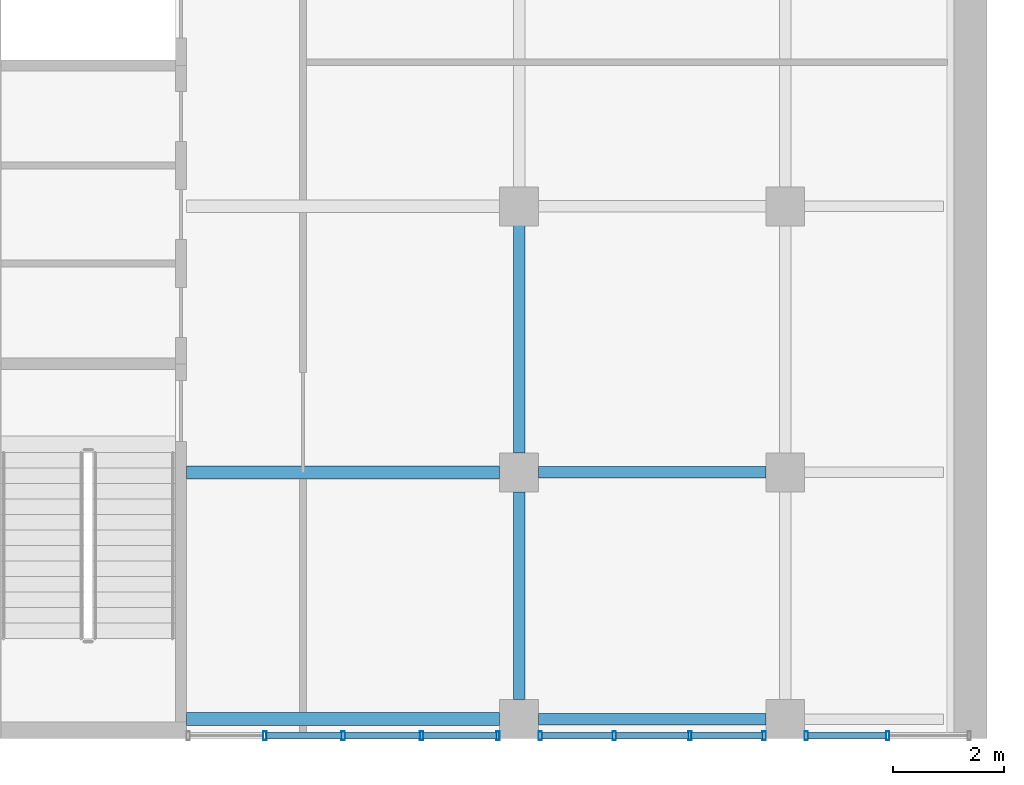
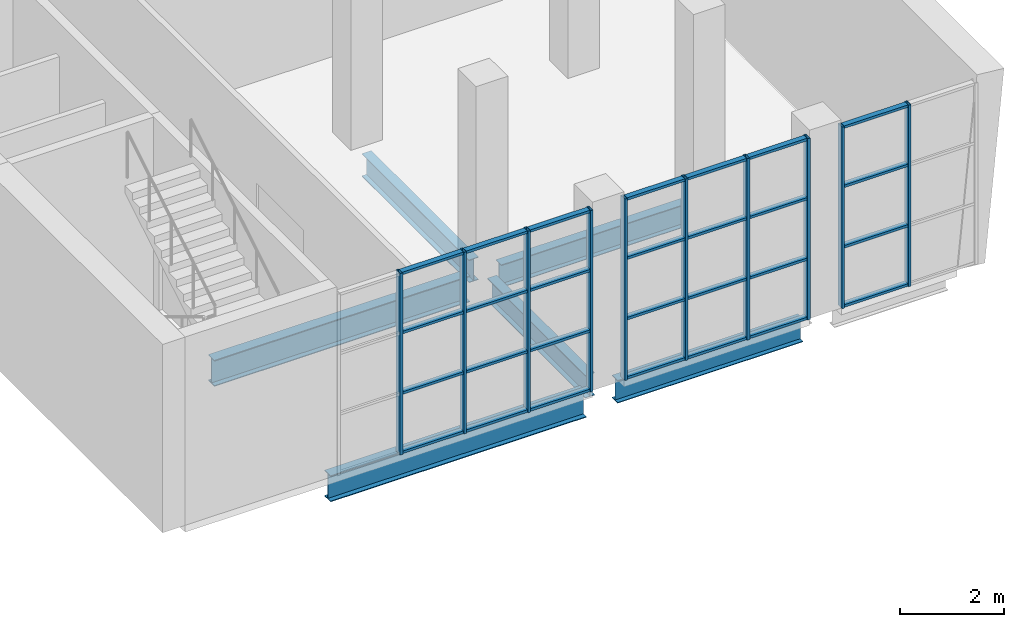
# One storey, part 10 of 30: 38 members, 6 beams, 3 elements without a shape of their own.
"""IFC4 building model written with IfcOpenShell, lengths in metres."""

from ifc_helpers import new_model, si_unit, direction, frame, origin, origin_2d, place, context, subcontext, project, spatial, hollow_rectangle, i_section, extrude, material, layer, layer_set, material_profile, profile_set, type_object, element, aggregate, save


model = new_model("IFC4")

# Units and contexts
model_context = context("Model", 3, precision=1e-05, world=origin(), true_north=direction((0.0, 1.0)))
body_context = subcontext(model_context, "Body", "Model", "MODEL_VIEW")
ifc_project = project(units=[si_unit("LENGTHUNIT", "METRE"), si_unit("AREAUNIT", "SQUARE_METRE"), si_unit("VOLUMEUNIT", "CUBIC_METRE"), si_unit("PLANEANGLEUNIT", "RADIAN"), si_unit("MASSUNIT", "GRAM", prefix="KILO")], contexts=[model_context])

# Site, building, storey
site_placement = place(None, origin())
site = spatial("IfcSite", under=ifc_project, at=site_placement, CompositionType="ELEMENT")
building_placement = place(site_placement, origin())
building = spatial("IfcBuilding", under=site, at=building_placement, Name="Baori Bourse Tower", CompositionType="ELEMENT")
storey_placement = place(building_placement, frame((0.0, 0.0, 17.0)))
storey = spatial("IfcBuildingStorey", under=building, at=storey_placement, Name="L02", CompositionType="ELEMENT", Elevation=17.0)

# Beams
ifc_material_1 = material(Name="Steel A992 Gr 50", Category="steel")
ifc_material_profile_1 = material_profile(ifc_material_1, i_section(OverallWidth=0.209228515625, OverallDepth=0.533447265625, WebThickness=0.01025390625, FlangeThickness=0.015625, at=origin_2d()), Name="W21x62")
ifc_profile_set_1 = profile_set([ifc_material_profile_1], Name="Steel A992 Gr 50")
beam_type_1 = type_object("IfcBeamType", Name="Wing beam W21x62", PredefinedType="BEAM", material=ifc_profile_set_1)
for number, where, z_axis, x_axis, name in (
    (1, (71.64990234375, -24.85009765625, -0.4267578125), (-1.0, 0.0, 0.0), (0.0, -1.0, 0.0), "wing/L02/Ebeam/002"),
    (2, (71.64990234375, -20.39990234375, -0.4267578125), (-1.0, 0.0, 0.0), (0.0, -1.0, 0.0), "wing/L02/Ebeam/005"),
):
    element("IfcBeam", number, at=place(storey_placement, frame(where, z_axis=z_axis, x_axis=x_axis)), inside=storey, type_object=beam_type_1, Name=name, PredefinedType="BEAM", context=body_context, shape_type="SweptSolid", body=[
        extrude(i_section(OverallWidth=0.209228515625, OverallDepth=0.533447265625, WebThickness=0.01025390625, FlangeThickness=0.015625, at=origin_2d()), origin(), (0.0, 0.0, 1.0), 4.099853515625),
    ])
beam_1_placement = place(storey_placement, frame((67.199951171875, -24.5, -0.4267578125), z_axis=(0.0, 1.0, 0.0), x_axis=(-1.0, 0.0, 0.0)))
element("IfcBeam", 3, at=beam_1_placement, inside=storey, type_object=beam_type_1, Name="wing/L02/Ebeamy/006", PredefinedType="BEAM", context=body_context, shape_type="SweptSolid", body=[
    extrude(i_section(OverallWidth=0.209228515625, OverallDepth=0.533447265625, WebThickness=0.01025390625, FlangeThickness=0.015625, at=origin_2d()), origin(), (0.0, 0.0, 1.0), 3.75),
])
beam_2_placement = place(storey_placement, frame((67.199951171875, -20.050048828125, -0.4267578125), z_axis=(0.0, 1.0, 0.0), x_axis=(-1.0, 0.0, 0.0)))
element("IfcBeam", 4, at=beam_2_placement, inside=storey, type_object=beam_type_1, Name="wing/L02/Ebeamy/007", PredefinedType="BEAM", context=body_context, shape_type="SweptSolid", body=[
    extrude(i_section(OverallWidth=0.209228515625, OverallDepth=0.533447265625, WebThickness=0.01025390625, FlangeThickness=0.015625, at=origin_2d()), origin(), (0.0, 0.0, 1.0), 4.10009765625),
])
ifc_material_2 = material(Name="Steel A992 Gr 50", Category="steel")
ifc_material_profile_2 = material_profile(ifc_material_2, i_section(OverallWidth=0.22900390625, OverallDepth=0.612060546875, WebThickness=0.011962890625, FlangeThickness=0.01953125, at=origin_2d()), Name="W24x84")
ifc_profile_set_2 = profile_set([ifc_material_profile_2], Name="Steel A992 Gr 50")
beam_type_2 = type_object("IfcBeamType", Name="Wing beam W24x84", PredefinedType="BEAM", material=ifc_profile_set_2)
for number, where, z_axis, x_axis, name in (
    (5, (66.85009765625, -24.85009765625, -0.466064453125), (-1.0, 0.0, 0.0), (0.0, -1.0, 0.0), "wing/L02/Ebeam/003"),
    (6, (66.85009765625, -20.39990234375, -0.466064453125), (-1.0, 0.0, 0.0), (0.0, -1.0, 0.0), "wing/L02/Ebeam/006"),
):
    element("IfcBeam", number, at=place(storey_placement, frame(where, z_axis=z_axis, x_axis=x_axis)), inside=storey, type_object=beam_type_2, Name=name, PredefinedType="BEAM", context=body_context, shape_type="SweptSolid", body=[
        extrude(i_section(OverallWidth=0.22900390625, OverallDepth=0.612060546875, WebThickness=0.011962890625, FlangeThickness=0.01953125, at=origin_2d()), origin(), (0.0, 0.0, 1.0), 5.650146484375),
    ])

# Curtain wall, members
ifc_material_3 = material(Name="Pale anodised aluminium", Category="aluminium")
ifc_layer = layer(ifc_material_3, 0.10009765625)
ifc_layer_set = layer_set([ifc_layer], Name="Wing curtain wall")
curtain_wall_type = type_object("IfcCurtainWallType", Name="Wing curtain wall", PredefinedType="NOTDEFINED", material=ifc_layer_set)
curtain_wall_1_placement = place(storey_placement, origin())
curtain_wall_1 = element("IfcCurtainWall", 7, at=curtain_wall_1_placement, inside=storey, type_object=curtain_wall_type, Name="wing/L02/Ecw/001", PredefinedType="NOTDEFINED")
ifc_material_4 = material(Name="Pale anodised aluminium", Category="aluminium")
ifc_material_profile_3 = material_profile(ifc_material_4, hollow_rectangle(XDim=0.159912109375, YDim=0.06005859375, WallThickness=0.0048828125, at=origin_2d()), Name="Mullion 160x60x5")
ifc_profile_set_3 = profile_set([ifc_material_profile_3], Name="Pale anodised aluminium")
member_type_1 = type_object("IfcMemberType", Name="Wing mullion 60x160", PredefinedType="MULLION", material=ifc_profile_set_3)
member_1_placement = place(storey_placement, frame((72.3798828125, -25.14990234375, 0.0), z_axis=(0.0, 0.0, 1.0), x_axis=(0.0, 1.0, 0.0)))
member_1 = element("IfcMember", 8, at=member_1_placement, type_object=member_type_1, Name="X12 mullion 1", PredefinedType="MULLION", context=body_context, shape_type="SweptSolid", body=[
    extrude(hollow_rectangle(XDim=0.159912109375, YDim=0.06005859375, WallThickness=0.0048828125, at=origin_2d()), origin(), (0.0, 0.0, 1.0), 4.239990234375),
])
member_2_placement = place(storey_placement, frame((73.849853515625, -25.14990234375, 0.0), z_axis=(0.0, 0.0, 1.0), x_axis=(0.0, 1.0, 0.0)))
member_2 = element("IfcMember", 9, at=member_2_placement, type_object=member_type_1, Name="X12 mullion 2", PredefinedType="MULLION", context=body_context, shape_type="SweptSolid", body=[
    extrude(hollow_rectangle(XDim=0.159912109375, YDim=0.06005859375, WallThickness=0.0048828125, at=origin_2d()), origin(), (0.0, 0.0, 1.0), 4.239990234375),
])

curtain_wall_2_placement = place(storey_placement, origin())
curtain_wall_2 = element("IfcCurtainWall", 10, at=curtain_wall_2_placement, inside=storey, type_object=curtain_wall_type, Name="wing/L02/Ecw/002", PredefinedType="NOTDEFINED")
member_3_placement = place(storey_placement, frame((67.580078125, -25.14990234375, 0.0), z_axis=(0.0, 0.0, 1.0), x_axis=(0.0, 1.0, 0.0)))
member_3 = element("IfcMember", 11, at=member_3_placement, type_object=member_type_1, Name="X12 mullion 1", PredefinedType="MULLION", context=body_context, shape_type="SweptSolid", body=[
    extrude(hollow_rectangle(XDim=0.159912109375, YDim=0.06005859375, WallThickness=0.0048828125, at=origin_2d()), origin(), (0.0, 0.0, 1.0), 4.239990234375),
])
member_4_placement = place(storey_placement, frame((68.916748046875, -25.14990234375, 0.0), z_axis=(0.0, 0.0, 1.0), x_axis=(0.0, 1.0, 0.0)))
member_4 = element("IfcMember", 12, at=member_4_placement, type_object=member_type_1, Name="X12 mullion 2", PredefinedType="MULLION", context=body_context, shape_type="SweptSolid", body=[
    extrude(hollow_rectangle(XDim=0.159912109375, YDim=0.06005859375, WallThickness=0.0048828125, at=origin_2d()), origin(), (0.0, 0.0, 1.0), 4.239990234375),
])
member_5_placement = place(storey_placement, frame((70.283447265625, -25.14990234375, 0.0), z_axis=(0.0, 0.0, 1.0), x_axis=(0.0, 1.0, 0.0)))
member_5 = element("IfcMember", 13, at=member_5_placement, type_object=member_type_1, Name="X12 mullion 3", PredefinedType="MULLION", context=body_context, shape_type="SweptSolid", body=[
    extrude(hollow_rectangle(XDim=0.159912109375, YDim=0.06005859375, WallThickness=0.0048828125, at=origin_2d()), origin(), (0.0, 0.0, 1.0), 4.239990234375),
])
member_6_placement = place(storey_placement, frame((71.6201171875, -25.14990234375, 0.0), z_axis=(0.0, 0.0, 1.0), x_axis=(0.0, 1.0, 0.0)))
member_6 = element("IfcMember", 14, at=member_6_placement, type_object=member_type_1, Name="X12 mullion 4", PredefinedType="MULLION", context=body_context, shape_type="SweptSolid", body=[
    extrude(hollow_rectangle(XDim=0.159912109375, YDim=0.06005859375, WallThickness=0.0048828125, at=origin_2d()), origin(), (0.0, 0.0, 1.0), 4.239990234375),
])

curtain_wall_3_placement = place(storey_placement, origin())
curtain_wall_3 = element("IfcCurtainWall", 15, at=curtain_wall_3_placement, inside=storey, type_object=curtain_wall_type, Name="wing/L02/Ecw/003", PredefinedType="NOTDEFINED")
member_7_placement = place(storey_placement, frame((62.612548828125, -25.14990234375, 0.0), z_axis=(0.0, 0.0, 1.0), x_axis=(0.0, 1.0, 0.0)))
member_7 = element("IfcMember", 16, at=member_7_placement, type_object=member_type_1, Name="X12 mullion 2", PredefinedType="MULLION", context=body_context, shape_type="SweptSolid", body=[
    extrude(hollow_rectangle(XDim=0.159912109375, YDim=0.06005859375, WallThickness=0.0048828125, at=origin_2d()), origin(), (0.0, 0.0, 1.0), 4.239990234375),
])
member_8_placement = place(storey_placement, frame((64.02490234375, -25.14990234375, 0.0), z_axis=(0.0, 0.0, 1.0), x_axis=(0.0, 1.0, 0.0)))
member_8 = element("IfcMember", 17, at=member_8_placement, type_object=member_type_1, Name="X12 mullion 3", PredefinedType="MULLION", context=body_context, shape_type="SweptSolid", body=[
    extrude(hollow_rectangle(XDim=0.159912109375, YDim=0.06005859375, WallThickness=0.0048828125, at=origin_2d()), origin(), (0.0, 0.0, 1.0), 4.239990234375),
])
member_9_placement = place(storey_placement, frame((65.4375, -25.14990234375, 0.0), z_axis=(0.0, 0.0, 1.0), x_axis=(0.0, 1.0, 0.0)))
member_9 = element("IfcMember", 18, at=member_9_placement, type_object=member_type_1, Name="X12 mullion 4", PredefinedType="MULLION", context=body_context, shape_type="SweptSolid", body=[
    extrude(hollow_rectangle(XDim=0.159912109375, YDim=0.06005859375, WallThickness=0.0048828125, at=origin_2d()), origin(), (0.0, 0.0, 1.0), 4.239990234375),
])
member_10_placement = place(storey_placement, frame((66.820068359375, -25.14990234375, 0.0), z_axis=(0.0, 0.0, 1.0), x_axis=(0.0, 1.0, 0.0)))
member_10 = element("IfcMember", 19, at=member_10_placement, type_object=member_type_1, Name="X12 mullion 5", PredefinedType="MULLION", context=body_context, shape_type="SweptSolid", body=[
    extrude(hollow_rectangle(XDim=0.159912109375, YDim=0.06005859375, WallThickness=0.0048828125, at=origin_2d()), origin(), (0.0, 0.0, 1.0), 4.239990234375),
])

# Member
ifc_material_5 = material(Name="Pale anodised aluminium", Category="aluminium")
ifc_material_profile_4 = material_profile(ifc_material_5, hollow_rectangle(XDim=0.1201171875, YDim=0.06005859375, WallThickness=0.0048828125, at=origin_2d()), Name="Transom 120x60x5")
ifc_profile_set_4 = profile_set([ifc_material_profile_4], Name="Pale anodised aluminium")
member_type_2 = type_object("IfcMemberType", Name="Wing transom 120x60", PredefinedType="USERDEFINED", material=ifc_profile_set_4)
member_11_placement = place(storey_placement, frame((72.409912109375, -25.14990234375, 0.030029296875), z_axis=(1.0, 0.0, 0.0), x_axis=(0.0, 1.0, 0.0)))
member_11 = element("IfcMember", 20, at=member_11_placement, type_object=member_type_2, Name="X12 transom 1.1", ObjectType="TRANSOM", PredefinedType="USERDEFINED", context=body_context, shape_type="SweptSolid", body=[
    extrude(hollow_rectangle(XDim=0.1201171875, YDim=0.06005859375, WallThickness=0.0048828125, at=origin_2d()), origin(), (0.0, 0.0, 1.0), 1.409912109375),
])

member_12_placement = place(storey_placement, frame((72.409912109375, -25.14990234375, 1.413330078125), z_axis=(1.0, 0.0, 0.0), x_axis=(0.0, 1.0, 0.0)))
member_12 = element("IfcMember", 21, at=member_12_placement, type_object=member_type_2, Name="X12 transom 1.2", ObjectType="TRANSOM", PredefinedType="USERDEFINED", context=body_context, shape_type="SweptSolid", body=[
    extrude(hollow_rectangle(XDim=0.1201171875, YDim=0.06005859375, WallThickness=0.0048828125, at=origin_2d()), origin(), (0.0, 0.0, 1.0), 1.409912109375),
])

member_13_placement = place(storey_placement, frame((72.409912109375, -25.14990234375, 2.82666015625), z_axis=(1.0, 0.0, 0.0), x_axis=(0.0, 1.0, 0.0)))
member_13 = element("IfcMember", 22, at=member_13_placement, type_object=member_type_2, Name="X12 transom 1.3", ObjectType="TRANSOM", PredefinedType="USERDEFINED", context=body_context, shape_type="SweptSolid", body=[
    extrude(hollow_rectangle(XDim=0.1201171875, YDim=0.06005859375, WallThickness=0.0048828125, at=origin_2d()), origin(), (0.0, 0.0, 1.0), 1.409912109375),
])

member_14_placement = place(storey_placement, frame((72.409912109375, -25.14990234375, 4.2099609375), z_axis=(1.0, 0.0, 0.0), x_axis=(0.0, 1.0, 0.0)))
member_14 = element("IfcMember", 23, at=member_14_placement, type_object=member_type_2, Name="X12 transom 1.4", ObjectType="TRANSOM", PredefinedType="USERDEFINED", context=body_context, shape_type="SweptSolid", body=[
    extrude(hollow_rectangle(XDim=0.1201171875, YDim=0.06005859375, WallThickness=0.0048828125, at=origin_2d()), origin(), (0.0, 0.0, 1.0), 1.409912109375),
])

aggregate(curtain_wall_1, [member_1, member_2, member_11, member_12, member_13, member_14])

member_15_placement = place(storey_placement, frame((67.610107421875, -25.14990234375, 0.030029296875), z_axis=(1.0, 0.0, 0.0), x_axis=(0.0, 1.0, 0.0)))
member_15 = element("IfcMember", 24, at=member_15_placement, type_object=member_type_2, Name="X12 transom 1.1", ObjectType="TRANSOM", PredefinedType="USERDEFINED", context=body_context, shape_type="SweptSolid", body=[
    extrude(hollow_rectangle(XDim=0.1201171875, YDim=0.06005859375, WallThickness=0.0048828125, at=origin_2d()), origin(), (0.0, 0.0, 1.0), 1.276611328125),
])

member_16_placement = place(storey_placement, frame((67.610107421875, -25.14990234375, 1.413330078125), z_axis=(1.0, 0.0, 0.0), x_axis=(0.0, 1.0, 0.0)))
member_16 = element("IfcMember", 25, at=member_16_placement, type_object=member_type_2, Name="X12 transom 1.2", ObjectType="TRANSOM", PredefinedType="USERDEFINED", context=body_context, shape_type="SweptSolid", body=[
    extrude(hollow_rectangle(XDim=0.1201171875, YDim=0.06005859375, WallThickness=0.0048828125, at=origin_2d()), origin(), (0.0, 0.0, 1.0), 1.276611328125),
])

member_17_placement = place(storey_placement, frame((67.610107421875, -25.14990234375, 2.82666015625), z_axis=(1.0, 0.0, 0.0), x_axis=(0.0, 1.0, 0.0)))
member_17 = element("IfcMember", 26, at=member_17_placement, type_object=member_type_2, Name="X12 transom 1.3", ObjectType="TRANSOM", PredefinedType="USERDEFINED", context=body_context, shape_type="SweptSolid", body=[
    extrude(hollow_rectangle(XDim=0.1201171875, YDim=0.06005859375, WallThickness=0.0048828125, at=origin_2d()), origin(), (0.0, 0.0, 1.0), 1.276611328125),
])

member_18_placement = place(storey_placement, frame((67.610107421875, -25.14990234375, 4.2099609375), z_axis=(1.0, 0.0, 0.0), x_axis=(0.0, 1.0, 0.0)))
member_18 = element("IfcMember", 27, at=member_18_placement, type_object=member_type_2, Name="X12 transom 1.4", ObjectType="TRANSOM", PredefinedType="USERDEFINED", context=body_context, shape_type="SweptSolid", body=[
    extrude(hollow_rectangle(XDim=0.1201171875, YDim=0.06005859375, WallThickness=0.0048828125, at=origin_2d()), origin(), (0.0, 0.0, 1.0), 1.276611328125),
])

member_19_placement = place(storey_placement, frame((68.94677734375, -25.14990234375, 0.030029296875), z_axis=(1.0, 0.0, 0.0), x_axis=(0.0, 1.0, 0.0)))
member_19 = element("IfcMember", 28, at=member_19_placement, type_object=member_type_2, Name="X12 transom 2.1", ObjectType="TRANSOM", PredefinedType="USERDEFINED", context=body_context, shape_type="SweptSolid", body=[
    extrude(hollow_rectangle(XDim=0.1201171875, YDim=0.06005859375, WallThickness=0.0048828125, at=origin_2d()), origin(), (0.0, 0.0, 1.0), 1.306640625),
])

member_20_placement = place(storey_placement, frame((68.94677734375, -25.14990234375, 1.413330078125), z_axis=(1.0, 0.0, 0.0), x_axis=(0.0, 1.0, 0.0)))
member_20 = element("IfcMember", 29, at=member_20_placement, type_object=member_type_2, Name="X12 transom 2.2", ObjectType="TRANSOM", PredefinedType="USERDEFINED", context=body_context, shape_type="SweptSolid", body=[
    extrude(hollow_rectangle(XDim=0.1201171875, YDim=0.06005859375, WallThickness=0.0048828125, at=origin_2d()), origin(), (0.0, 0.0, 1.0), 1.306640625),
])

member_21_placement = place(storey_placement, frame((68.94677734375, -25.14990234375, 2.82666015625), z_axis=(1.0, 0.0, 0.0), x_axis=(0.0, 1.0, 0.0)))
member_21 = element("IfcMember", 30, at=member_21_placement, type_object=member_type_2, Name="X12 transom 2.3", ObjectType="TRANSOM", PredefinedType="USERDEFINED", context=body_context, shape_type="SweptSolid", body=[
    extrude(hollow_rectangle(XDim=0.1201171875, YDim=0.06005859375, WallThickness=0.0048828125, at=origin_2d()), origin(), (0.0, 0.0, 1.0), 1.306640625),
])

member_22_placement = place(storey_placement, frame((68.94677734375, -25.14990234375, 4.2099609375), z_axis=(1.0, 0.0, 0.0), x_axis=(0.0, 1.0, 0.0)))
member_22 = element("IfcMember", 31, at=member_22_placement, type_object=member_type_2, Name="X12 transom 2.4", ObjectType="TRANSOM", PredefinedType="USERDEFINED", context=body_context, shape_type="SweptSolid", body=[
    extrude(hollow_rectangle(XDim=0.1201171875, YDim=0.06005859375, WallThickness=0.0048828125, at=origin_2d()), origin(), (0.0, 0.0, 1.0), 1.306640625),
])

member_23_placement = place(storey_placement, frame((70.313232421875, -25.14990234375, 0.030029296875), z_axis=(1.0, 0.0, 0.0), x_axis=(0.0, 1.0, 0.0)))
member_23 = element("IfcMember", 32, at=member_23_placement, type_object=member_type_2, Name="X12 transom 3.1", ObjectType="TRANSOM", PredefinedType="USERDEFINED", context=body_context, shape_type="SweptSolid", body=[
    extrude(hollow_rectangle(XDim=0.1201171875, YDim=0.06005859375, WallThickness=0.0048828125, at=origin_2d()), origin(), (0.0, 0.0, 1.0), 1.27685546875),
])

member_24_placement = place(storey_placement, frame((70.313232421875, -25.14990234375, 1.413330078125), z_axis=(1.0, 0.0, 0.0), x_axis=(0.0, 1.0, 0.0)))
member_24 = element("IfcMember", 33, at=member_24_placement, type_object=member_type_2, Name="X12 transom 3.2", ObjectType="TRANSOM", PredefinedType="USERDEFINED", context=body_context, shape_type="SweptSolid", body=[
    extrude(hollow_rectangle(XDim=0.1201171875, YDim=0.06005859375, WallThickness=0.0048828125, at=origin_2d()), origin(), (0.0, 0.0, 1.0), 1.27685546875),
])

member_25_placement = place(storey_placement, frame((70.313232421875, -25.14990234375, 2.82666015625), z_axis=(1.0, 0.0, 0.0), x_axis=(0.0, 1.0, 0.0)))
member_25 = element("IfcMember", 34, at=member_25_placement, type_object=member_type_2, Name="X12 transom 3.3", ObjectType="TRANSOM", PredefinedType="USERDEFINED", context=body_context, shape_type="SweptSolid", body=[
    extrude(hollow_rectangle(XDim=0.1201171875, YDim=0.06005859375, WallThickness=0.0048828125, at=origin_2d()), origin(), (0.0, 0.0, 1.0), 1.27685546875),
])

member_26_placement = place(storey_placement, frame((70.313232421875, -25.14990234375, 4.2099609375), z_axis=(1.0, 0.0, 0.0), x_axis=(0.0, 1.0, 0.0)))
member_26 = element("IfcMember", 35, at=member_26_placement, type_object=member_type_2, Name="X12 transom 3.4", ObjectType="TRANSOM", PredefinedType="USERDEFINED", context=body_context, shape_type="SweptSolid", body=[
    extrude(hollow_rectangle(XDim=0.1201171875, YDim=0.06005859375, WallThickness=0.0048828125, at=origin_2d()), origin(), (0.0, 0.0, 1.0), 1.27685546875),
])

aggregate(curtain_wall_2, [member_3, member_4, member_5, member_6, member_15, member_16, member_17, member_18, member_19, member_20, member_21, member_22, member_23, member_24, member_25, member_26])

member_27_placement = place(storey_placement, frame((62.642578125, -25.14990234375, 0.030029296875), z_axis=(1.0, 0.0, 0.0), x_axis=(0.0, 1.0, 0.0)))
member_27 = element("IfcMember", 36, at=member_27_placement, type_object=member_type_2, Name="X12 transom 2.1", ObjectType="TRANSOM", PredefinedType="USERDEFINED", context=body_context, shape_type="SweptSolid", body=[
    extrude(hollow_rectangle(XDim=0.1201171875, YDim=0.06005859375, WallThickness=0.0048828125, at=origin_2d()), origin(), (0.0, 0.0, 1.0), 1.3525390625),
])

member_28_placement = place(storey_placement, frame((62.642578125, -25.14990234375, 1.413330078125), z_axis=(1.0, 0.0, 0.0), x_axis=(0.0, 1.0, 0.0)))
member_28 = element("IfcMember", 37, at=member_28_placement, type_object=member_type_2, Name="X12 transom 2.2", ObjectType="TRANSOM", PredefinedType="USERDEFINED", context=body_context, shape_type="SweptSolid", body=[
    extrude(hollow_rectangle(XDim=0.1201171875, YDim=0.06005859375, WallThickness=0.0048828125, at=origin_2d()), origin(), (0.0, 0.0, 1.0), 1.3525390625),
])

member_29_placement = place(storey_placement, frame((62.642578125, -25.14990234375, 2.82666015625), z_axis=(1.0, 0.0, 0.0), x_axis=(0.0, 1.0, 0.0)))
member_29 = element("IfcMember", 38, at=member_29_placement, type_object=member_type_2, Name="X12 transom 2.3", ObjectType="TRANSOM", PredefinedType="USERDEFINED", context=body_context, shape_type="SweptSolid", body=[
    extrude(hollow_rectangle(XDim=0.1201171875, YDim=0.06005859375, WallThickness=0.0048828125, at=origin_2d()), origin(), (0.0, 0.0, 1.0), 1.3525390625),
])

member_30_placement = place(storey_placement, frame((62.642578125, -25.14990234375, 4.2099609375), z_axis=(1.0, 0.0, 0.0), x_axis=(0.0, 1.0, 0.0)))
member_30 = element("IfcMember", 39, at=member_30_placement, type_object=member_type_2, Name="X12 transom 2.4", ObjectType="TRANSOM", PredefinedType="USERDEFINED", context=body_context, shape_type="SweptSolid", body=[
    extrude(hollow_rectangle(XDim=0.1201171875, YDim=0.06005859375, WallThickness=0.0048828125, at=origin_2d()), origin(), (0.0, 0.0, 1.0), 1.3525390625),
])

member_31_placement = place(storey_placement, frame((64.054931640625, -25.14990234375, 0.030029296875), z_axis=(1.0, 0.0, 0.0), x_axis=(0.0, 1.0, 0.0)))
member_31 = element("IfcMember", 40, at=member_31_placement, type_object=member_type_2, Name="X12 transom 3.1", ObjectType="TRANSOM", PredefinedType="USERDEFINED", context=body_context, shape_type="SweptSolid", body=[
    extrude(hollow_rectangle(XDim=0.1201171875, YDim=0.06005859375, WallThickness=0.0048828125, at=origin_2d()), origin(), (0.0, 0.0, 1.0), 1.3525390625),
])

member_32_placement = place(storey_placement, frame((64.054931640625, -25.14990234375, 1.413330078125), z_axis=(1.0, 0.0, 0.0), x_axis=(0.0, 1.0, 0.0)))
member_32 = element("IfcMember", 41, at=member_32_placement, type_object=member_type_2, Name="X12 transom 3.2", ObjectType="TRANSOM", PredefinedType="USERDEFINED", context=body_context, shape_type="SweptSolid", body=[
    extrude(hollow_rectangle(XDim=0.1201171875, YDim=0.06005859375, WallThickness=0.0048828125, at=origin_2d()), origin(), (0.0, 0.0, 1.0), 1.3525390625),
])

member_33_placement = place(storey_placement, frame((64.054931640625, -25.14990234375, 2.82666015625), z_axis=(1.0, 0.0, 0.0), x_axis=(0.0, 1.0, 0.0)))
member_33 = element("IfcMember", 42, at=member_33_placement, type_object=member_type_2, Name="X12 transom 3.3", ObjectType="TRANSOM", PredefinedType="USERDEFINED", context=body_context, shape_type="SweptSolid", body=[
    extrude(hollow_rectangle(XDim=0.1201171875, YDim=0.06005859375, WallThickness=0.0048828125, at=origin_2d()), origin(), (0.0, 0.0, 1.0), 1.3525390625),
])

member_34_placement = place(storey_placement, frame((64.054931640625, -25.14990234375, 4.2099609375), z_axis=(1.0, 0.0, 0.0), x_axis=(0.0, 1.0, 0.0)))
member_34 = element("IfcMember", 43, at=member_34_placement, type_object=member_type_2, Name="X12 transom 3.4", ObjectType="TRANSOM", PredefinedType="USERDEFINED", context=body_context, shape_type="SweptSolid", body=[
    extrude(hollow_rectangle(XDim=0.1201171875, YDim=0.06005859375, WallThickness=0.0048828125, at=origin_2d()), origin(), (0.0, 0.0, 1.0), 1.3525390625),
])

member_35_placement = place(storey_placement, frame((65.467529296875, -25.14990234375, 0.030029296875), z_axis=(1.0, 0.0, 0.0), x_axis=(0.0, 1.0, 0.0)))
member_35 = element("IfcMember", 44, at=member_35_placement, type_object=member_type_2, Name="X12 transom 4.1", ObjectType="TRANSOM", PredefinedType="USERDEFINED", context=body_context, shape_type="SweptSolid", body=[
    extrude(hollow_rectangle(XDim=0.1201171875, YDim=0.06005859375, WallThickness=0.0048828125, at=origin_2d()), origin(), (0.0, 0.0, 1.0), 1.322509765625),
])

member_36_placement = place(storey_placement, frame((65.467529296875, -25.14990234375, 1.413330078125), z_axis=(1.0, 0.0, 0.0), x_axis=(0.0, 1.0, 0.0)))
member_36 = element("IfcMember", 45, at=member_36_placement, type_object=member_type_2, Name="X12 transom 4.2", ObjectType="TRANSOM", PredefinedType="USERDEFINED", context=body_context, shape_type="SweptSolid", body=[
    extrude(hollow_rectangle(XDim=0.1201171875, YDim=0.06005859375, WallThickness=0.0048828125, at=origin_2d()), origin(), (0.0, 0.0, 1.0), 1.322509765625),
])

member_37_placement = place(storey_placement, frame((65.467529296875, -25.14990234375, 2.82666015625), z_axis=(1.0, 0.0, 0.0), x_axis=(0.0, 1.0, 0.0)))
member_37 = element("IfcMember", 46, at=member_37_placement, type_object=member_type_2, Name="X12 transom 4.3", ObjectType="TRANSOM", PredefinedType="USERDEFINED", context=body_context, shape_type="SweptSolid", body=[
    extrude(hollow_rectangle(XDim=0.1201171875, YDim=0.06005859375, WallThickness=0.0048828125, at=origin_2d()), origin(), (0.0, 0.0, 1.0), 1.322509765625),
])

member_38_placement = place(storey_placement, frame((65.467529296875, -25.14990234375, 4.2099609375), z_axis=(1.0, 0.0, 0.0), x_axis=(0.0, 1.0, 0.0)))
member_38 = element("IfcMember", 47, at=member_38_placement, type_object=member_type_2, Name="X12 transom 4.4", ObjectType="TRANSOM", PredefinedType="USERDEFINED", context=body_context, shape_type="SweptSolid", body=[
    extrude(hollow_rectangle(XDim=0.1201171875, YDim=0.06005859375, WallThickness=0.0048828125, at=origin_2d()), origin(), (0.0, 0.0, 1.0), 1.322509765625),
])

aggregate(curtain_wall_3, [member_7, member_8, member_9, member_10, member_27, member_28, member_29, member_30, member_31, member_32, member_33, member_34, member_35, member_36, member_37, member_38])

save(model, "model.ifc")
